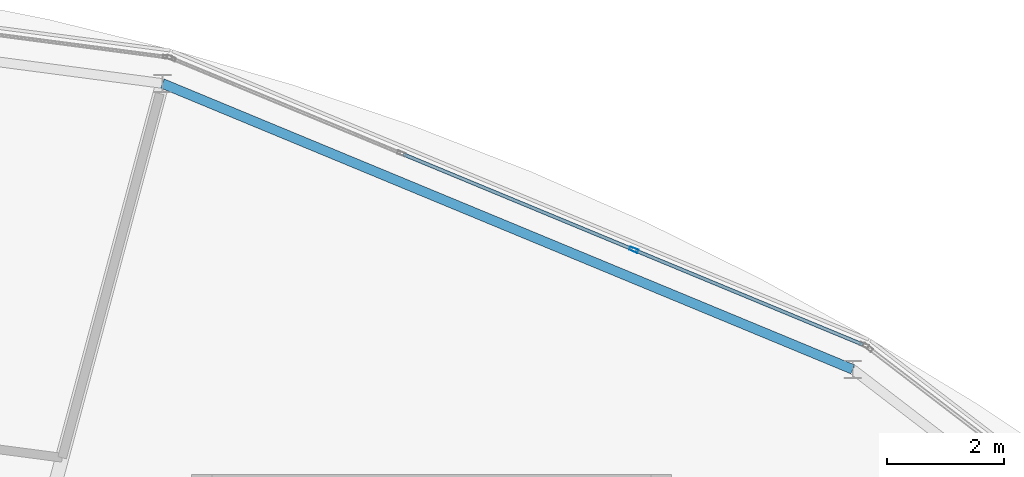
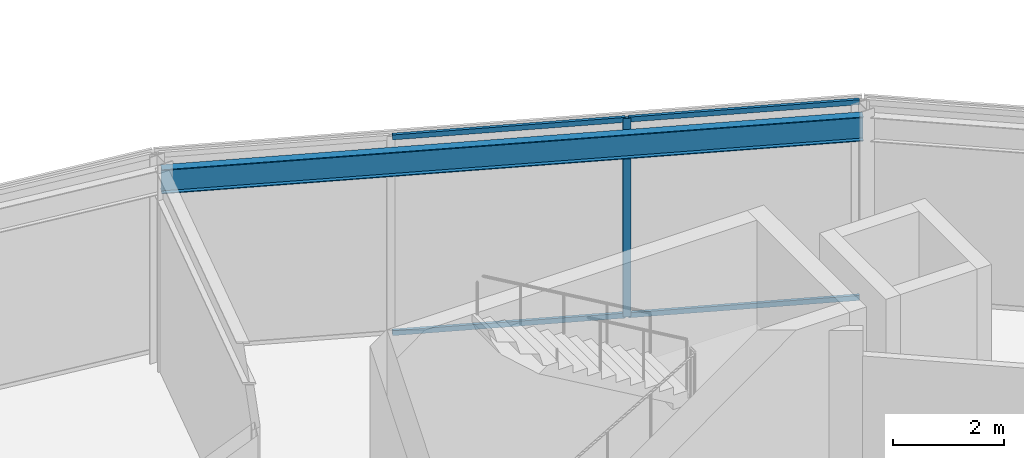
# One storey, part 59 of 116: 5 members, 1 beam, 1 element without a shape of its own.
"""IFC4 building model written with IfcOpenShell, lengths in metres."""

from ifc_helpers import new_model, si_unit, direction, frame, origin, origin_2d, place, context, subcontext, project, spatial, hollow_rectangle, i_section, extrude, material, material_profile, profile_set, type_object, element, aggregate, save


model = new_model("IFC4")

# Units and contexts
model_context = context("Model", 3, precision=1e-05, world=origin(), true_north=direction((0.0, 1.0)))
body_context = subcontext(model_context, "Body", "Model", "MODEL_VIEW")
ifc_project = project(units=[si_unit("LENGTHUNIT", "METRE"), si_unit("AREAUNIT", "SQUARE_METRE"), si_unit("VOLUMEUNIT", "CUBIC_METRE"), si_unit("PLANEANGLEUNIT", "RADIAN"), si_unit("MASSUNIT", "GRAM", prefix="KILO")], contexts=[model_context])

# Site, building, storey
site_placement = place(None, origin())
site = spatial("IfcSite", under=ifc_project, at=site_placement, CompositionType="ELEMENT")
building_placement = place(site_placement, origin())
building = spatial("IfcBuilding", under=site, at=building_placement, Name="Almandine Court Research Institute", CompositionType="ELEMENT")
storey_placement = place(building_placement, frame((0.0, 0.0, 14.35009765625)))
storey = spatial("IfcBuildingStorey", under=building, at=storey_placement, Name="L03", CompositionType="ELEMENT", Elevation=14.35009765625)

# Beam
ifc_material_1 = material(Name="Steel ASTM A992 Grade 50", Category="steel")
ifc_material_profile_1 = material_profile(ifc_material_1, i_section(OverallWidth=0.166015625, OverallDepth=0.534912109375, WebThickness=0.010009765625, FlangeThickness=0.01708984375, at=origin_2d()), Name="W530x85")
ifc_profile_set_1 = profile_set([ifc_material_profile_1], Name="Steel ASTM A992 Grade 50")
beam_type = type_object("IfcBeamType", Name="Beam-G-05-E", PredefinedType="SPANDREL", material=ifc_profile_set_1)
beam_placement = place(storey_placement, frame((111.449951171875, 98.34912109375, 4.102783203125), z_axis=(-0.923891897665, 0.382653578879, 0.0), x_axis=(-0.382653578879, -0.923891897665, 0.0)))
element("IfcBeam", 1, at=beam_placement, inside=storey, type_object=beam_type, Name="L03 Drum OUT Ring Beam 04", PredefinedType="SPANDREL", context=body_context, shape_type="SweptSolid", body=[
    extrude(i_section(OverallWidth=0.166015625, OverallDepth=0.534912109375, WebThickness=0.010009765625, FlangeThickness=0.01708984375, at=origin_2d()), origin(), (0.0, 0.0, 1.0), 12.765625),
])

# Curtain wall, members
ifc_material_2 = material(Name="Unitised Curtain Wall Framing and Solar Glazing", Category="glass")
curtain_wall_type = type_object("IfcCurtainWallType", Name="CW-CWG-20", PredefinedType="USERDEFINED", material=ifc_material_2)
curtain_wall_placement = place(storey_placement, origin())
curtain_wall = element("IfcCurtainWall", 2, at=curtain_wall_placement, inside=storey, type_object=curtain_wall_type, Name="L03 Stacked-Ring Drum Outer Unitised Glazing 04", ObjectType="UNITISED GLAZING", PredefinedType="USERDEFINED")
ifc_material_3 = material(Name="Anodised Aluminium AW-6063-T6", Category="aluminium")
ifc_material_profile_2 = material_profile(ifc_material_3, hollow_rectangle(XDim=0.06005859375, YDim=0.14990234375, WallThickness=0.00390625, at=origin_2d()), Name="ALU RHS 60x150x4")
ifc_profile_set_2 = profile_set([ifc_material_profile_2], Name="Anodised Aluminium AW-6063-T6")
member_type_1 = type_object("IfcMemberType", Name="CWMul-60x150", PredefinedType="MULLION", material=ifc_profile_set_2)
member_1_placement = place(storey_placement, frame((107.7109375, 100.3916015625, 0.0), z_axis=(0.0, 0.0, 1.0), x_axis=(0.382662689242, 0.923888124321, 0.0)))
member_1 = element("IfcMember", 3, at=member_1_placement, type_object=member_type_1, Name="CWG-20 mullion 3", PredefinedType="MULLION", context=body_context, shape_type="SweptSolid", body=[
    extrude(hollow_rectangle(XDim=0.06005859375, YDim=0.14990234375, WallThickness=0.00390625, at=origin_2d()), origin(), (0.0, 0.0, 1.0), 4.369873046875),
])
ifc_material_profile_3 = material_profile(ifc_material_3, hollow_rectangle(XDim=0.06005859375, YDim=0.110107421875, WallThickness=0.00390625, at=origin_2d()), Name="ALU RHS 60x110x4")
ifc_profile_set_3 = profile_set([ifc_material_profile_3], Name="Anodised Aluminium AW-6063-T6")
member_type_2 = type_object("IfcMemberType", Name="CWTrn-60x110", PredefinedType="NOTDEFINED", material=ifc_profile_set_3)
member_2_placement = place(storey_placement, frame((103.772705078125, 102.02294921875, 0.02978515625), z_axis=(0.92387693948, -0.382689692437, 0.0), x_axis=(0.382689692437, 0.92387693948, 0.0)))
member_2 = element("IfcMember", 4, at=member_2_placement, type_object=member_type_2, Name="CWG-20 transom 2.1", ObjectType="TRANSOM", PredefinedType="USERDEFINED", context=body_context, shape_type="SweptSolid", body=[
    extrude(hollow_rectangle(XDim=0.06005859375, YDim=0.110107421875, WallThickness=0.00390625, at=origin_2d()), origin(), (0.0, 0.0, 1.0), 4.23291015625),
])
member_3_placement = place(storey_placement, frame((103.772705078125, 102.02294921875, 4.33984375), z_axis=(0.92387693948, -0.382689692437, 0.0), x_axis=(0.382689692437, 0.92387693948, 0.0)))
member_3 = element("IfcMember", 5, at=member_3_placement, type_object=member_type_2, Name="CWG-20 transom 2.2", ObjectType="TRANSOM", PredefinedType="USERDEFINED", context=body_context, shape_type="SweptSolid", body=[
    extrude(hollow_rectangle(XDim=0.06005859375, YDim=0.110107421875, WallThickness=0.00390625, at=origin_2d()), origin(), (0.0, 0.0, 1.0), 4.23291015625),
])
member_4_placement = place(storey_placement, frame((107.73876953125, 100.380126953125, 0.02978515625), z_axis=(0.923892933282, -0.382651078441, 0.0), x_axis=(0.382651078441, 0.923892933282, 0.0)))
member_4 = element("IfcMember", 6, at=member_4_placement, type_object=member_type_2, Name="CWG-20 transom 3.1", ObjectType="TRANSOM", PredefinedType="USERDEFINED", context=body_context, shape_type="SweptSolid", body=[
    extrude(hollow_rectangle(XDim=0.06005859375, YDim=0.110107421875, WallThickness=0.00390625, at=origin_2d()), origin(), (0.0, 0.0, 1.0), 4.20263671875),
])
member_5_placement = place(storey_placement, frame((107.73876953125, 100.380126953125, 4.33984375), z_axis=(0.923892933282, -0.382651078441, 0.0), x_axis=(0.382651078441, 0.923892933282, 0.0)))
member_5 = element("IfcMember", 7, at=member_5_placement, type_object=member_type_2, Name="CWG-20 transom 3.2", ObjectType="TRANSOM", PredefinedType="USERDEFINED", context=body_context, shape_type="SweptSolid", body=[
    extrude(hollow_rectangle(XDim=0.06005859375, YDim=0.110107421875, WallThickness=0.00390625, at=origin_2d()), origin(), (0.0, 0.0, 1.0), 4.20263671875),
])
aggregate(curtain_wall, [member_1, member_2, member_3, member_4, member_5])

save(model, "model.ifc")
